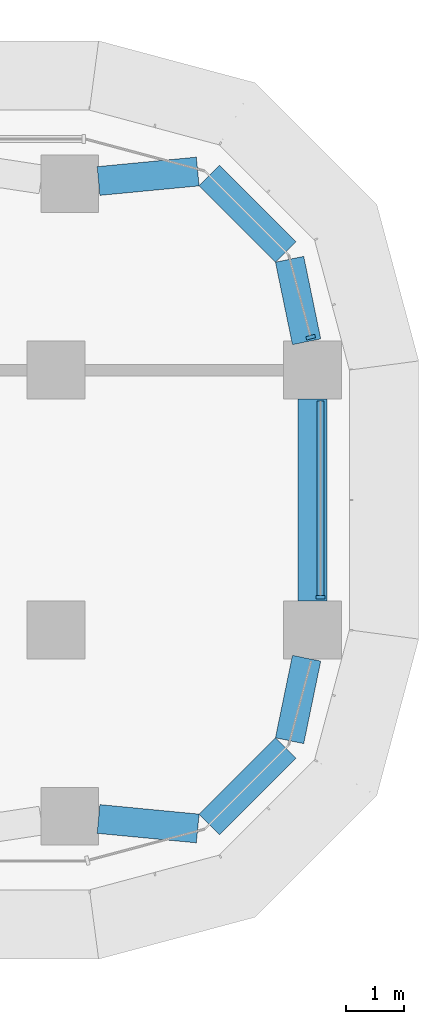
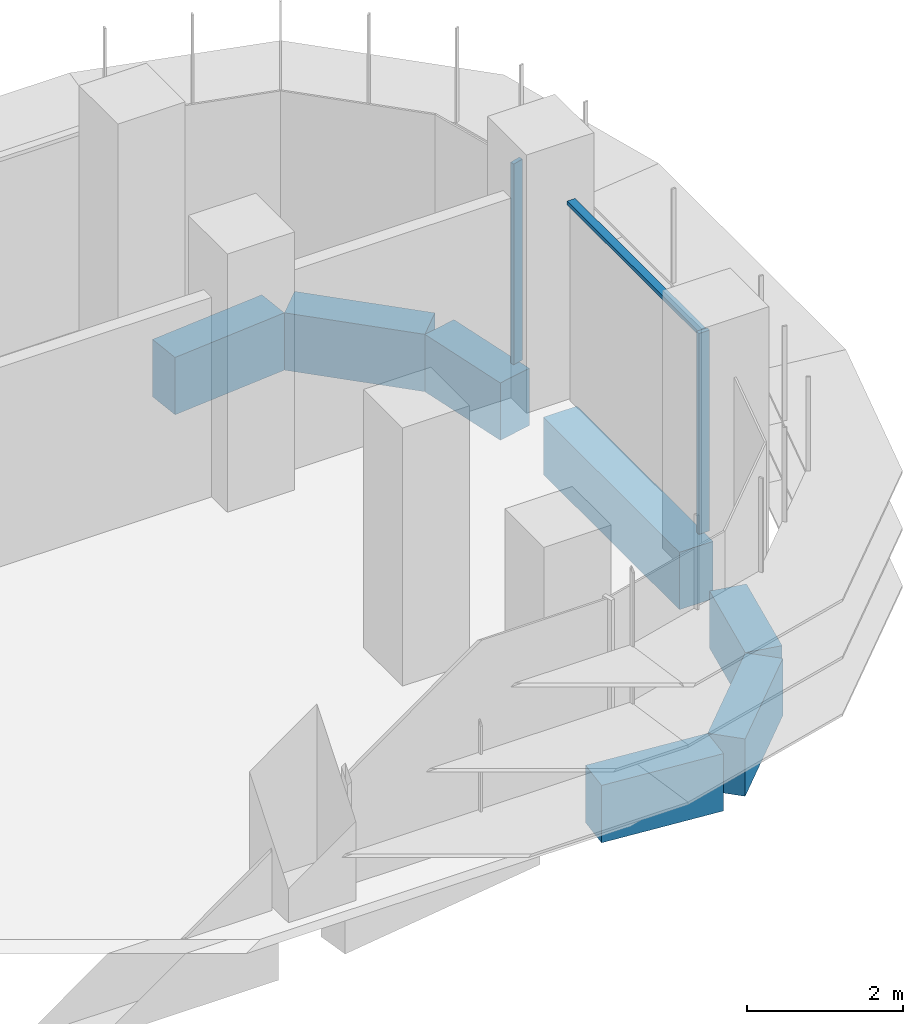
# One storey, part 11 of 23: 7 beams, 3 members, 2 elements without a shape of their own.
"""IFC4 building model written with IfcOpenShell, lengths in metres."""

from ifc_helpers import new_model, si_unit, direction, frame, origin, origin_2d, place, context, subcontext, project, spatial, polyline, rectangle, outline, extrude, source, transform, mapped, material, material_profile, profile_set, type_object, element, aggregate, save


model = new_model("IFC4")

# Units and contexts
model_context = context("Model", 3, precision=1e-05, world=origin(), true_north=direction((0.0, 1.0)))
body_context = subcontext(model_context, "Body", "Model", "MODEL_VIEW")
ifc_project = project(units=[si_unit("LENGTHUNIT", "METRE"), si_unit("AREAUNIT", "SQUARE_METRE"), si_unit("VOLUMEUNIT", "CUBIC_METRE"), si_unit("PLANEANGLEUNIT", "RADIAN"), si_unit("MASSUNIT", "GRAM", prefix="KILO")], contexts=[model_context])

# Site, building, storey
site_placement = place(None, origin())
site = spatial("IfcSite", under=ifc_project, at=site_placement, CompositionType="ELEMENT")
building_placement = place(site_placement, origin())
building = spatial("IfcBuilding", under=site, at=building_placement, Name="Zarbagh Exchange Tower", CompositionType="ELEMENT")
storey_placement = place(building_placement, frame((0.0, 0.0, 43.800048828125)))
storey = spatial("IfcBuildingStorey", under=building, at=storey_placement, Name="L09", CompositionType="ELEMENT", Elevation=43.800048828125)

# Beams
ifc_material_1 = material(Name="Concrete C60/75", Category="concrete")
ifc_material_profile = material_profile(ifc_material_1, rectangle(XDim=0.5, YDim=0.89990234375, at=origin_2d()), Name="RC spandrel beam 500 x 900 C60/75")
ifc_profile_set = profile_set([ifc_material_profile], Name="Concrete C60/75")
beam_type = type_object("IfcBeamType", Name="RC spandrel beam 500 x 900 C60/75", PredefinedType="SPANDREL", material=ifc_profile_set)
beam_1_placement = place(storey_placement, frame((29.40576171875, 5.522705078125, -0.60009765625), z_axis=(0.995431032456, 0.095483294999, 0.0), x_axis=(-0.095483294999, 0.995431032456, 0.0)))
element("IfcBeam", 1, at=beam_1_placement, inside=storey, type_object=beam_type, Name="RC spandrel beam", PredefinedType="SPANDREL", context=body_context, shape_type="SweptSolid", body=[
    extrude(rectangle(XDim=0.5, YDim=0.89990234375, at=origin_2d()), origin(), (0.0, 0.0, 1.0), 1.725830078125),
])
beam_2_placement = place(storey_placement, frame((31.324462890625, 5.615478515625, -0.60009765625), z_axis=(0.707172099812, -0.707041456527, 0.0), x_axis=(0.707041456527, 0.707172099812, 0.0)))
element("IfcBeam", 2, at=beam_2_placement, inside=storey, type_object=beam_type, Name="RC spandrel beam", PredefinedType="SPANDREL", context=body_context, shape_type="SweptSolid", body=[
    extrude(rectangle(XDim=0.5, YDim=0.89990234375, at=origin_2d()), origin(), (0.0, 0.0, 1.0), 1.86865234375),
])
beam_3_placement = place(storey_placement, frame((32.714111328125, 4.16796875, -0.60009765625), z_axis=(0.202068589164, -0.9793713725, 0.0), x_axis=(0.9793713725, 0.202068589164, 0.0)))
element("IfcBeam", 3, at=beam_3_placement, inside=storey, type_object=beam_type, Name="RC spandrel beam", PredefinedType="SPANDREL", context=body_context, shape_type="SweptSolid", body=[
    extrude(rectangle(XDim=0.5, YDim=0.89990234375, at=origin_2d()), origin(), (0.0, 0.0, 1.0), 1.458251953125),
])
beam_4_placement = place(storey_placement, frame((33.110107421875, 1.75, -0.60009765625), z_axis=(0.0, -1.0, 0.0), x_axis=(1.0, 0.0, 0.0)))
element("IfcBeam", 4, at=beam_4_placement, inside=storey, type_object=beam_type, Name="RC spandrel beam", PredefinedType="SPANDREL", context=body_context, shape_type="SweptSolid", body=[
    extrude(rectangle(XDim=0.5, YDim=0.89990234375, at=origin_2d()), origin(), (0.0, 0.0, 1.0), 3.5),
])
beam_5_placement = place(storey_placement, frame((33.0087890625, -2.73974609375, -0.60009765625), z_axis=(-0.202068589164, -0.9793713725, 0.0), x_axis=(0.9793713725, -0.202068589164, 0.0)))
element("IfcBeam", 5, at=beam_5_placement, inside=storey, type_object=beam_type, Name="RC spandrel beam", PredefinedType="SPANDREL", context=body_context, shape_type="SweptSolid", body=[
    extrude(rectangle(XDim=0.5, YDim=0.89990234375, at=origin_2d()), origin(), (0.0, 0.0, 1.0), 1.458251953125),
])
beam_6_placement = place(storey_placement, frame((32.64599609375, -4.294189453125, -0.60009765625), z_axis=(-0.707172099812, -0.707041456527, 0.0), x_axis=(0.707041456527, -0.707172099812, 0.0)))
element("IfcBeam", 6, at=beam_6_placement, inside=storey, type_object=beam_type, Name="RC spandrel beam", PredefinedType="SPANDREL", context=body_context, shape_type="SweptSolid", body=[
    extrude(rectangle(XDim=0.5, YDim=0.89990234375, at=origin_2d()), origin(), (0.0, 0.0, 1.0), 1.86865234375),
])
beam_7_placement = place(storey_placement, frame((31.123779296875, -5.6875, -0.60009765625), z_axis=(-0.995431032456, 0.095483294999, 0.0), x_axis=(-0.095483294999, -0.995431032456, 0.0)))
element("IfcBeam", 7, at=beam_7_placement, inside=storey, type_object=beam_type, Name="RC spandrel beam", PredefinedType="SPANDREL", context=body_context, shape_type="SweptSolid", body=[
    extrude(rectangle(XDim=0.5, YDim=0.89990234375, at=origin_2d()), origin(), (0.0, 0.0, 1.0), 1.725830078125),
])

# Curtain wall, member
ifc_material_2 = material(Name="Anodised aluminium frame and glazing", Category="aluminium")
curtain_wall_type = type_object("IfcCurtainWallType", Name="CWA Ribbon glazing, lower zones", PredefinedType="NOTDEFINED", material=ifc_material_2)
curtain_wall_1_placement = place(storey_placement, origin())
curtain_wall_1 = element("IfcCurtainWall", 8, at=curtain_wall_1_placement, inside=storey, type_object=curtain_wall_type, Name="CWA12 curtain wall", PredefinedType="NOTDEFINED")
ifc_material_3 = material(Name="Anodised aluminium frame", Category="aluminium")
member_type_1 = type_object("IfcMemberType", Name="MUA Mullion, anodised aluminium frame", PredefinedType="MULLION", material=ifc_material_3)
shared_shape_1 = source(origin(), body_context, "Body", "SweptSolid", [
    extrude(outline(polyline([(0.0, -0.080078125), (0.06005859375, -0.080078125), (0.06005859375, 0.080078125), (0.0, 0.080078125), (0.0, -0.080078125)])), origin(), (0.0, 0.0, 1.0), 3.14990234375),
])
placement = place(storey_placement, origin())
member_1 = element("IfcMember", 9, at=placement, type_object=member_type_1, Name="CWA12 mullion 1.1", PredefinedType="MULLION", context=body_context, shape_type="MappedRepresentation", body=[
    mapped(shared_shape_1, transform((33.25, -1.7099609375, 0.0), x_axis=(0.0, 1.0, 0.0), y_axis=(-1.0, 0.0, 0.0), z_axis=(0.0, 0.0, 1.0))),
])

curtain_wall_2_placement = place(storey_placement, origin())
curtain_wall_2 = element("IfcCurtainWall", 10, at=curtain_wall_2_placement, inside=storey, type_object=curtain_wall_type, Name="CWA13 curtain wall", PredefinedType="NOTDEFINED")
member_2 = element("IfcMember", 11, at=placement, type_object=member_type_1, Name="CWA13 mullion 1.1", PredefinedType="MULLION", context=body_context, shape_type="MappedRepresentation", body=[
    mapped(shared_shape_1, transform((33.087646484375, 2.7900390625, 0.0), x_axis=(-0.258824779902, 0.965924289636, 0.0), y_axis=(-0.965924289636, -0.258824779902, 0.0), z_axis=(0.0, 0.0, 1.0))),
])
aggregate(curtain_wall_2, [member_2])

# Member
member_type_2 = type_object("IfcMemberType", Name="TRA Transom, anodised aluminium frame", PredefinedType="USERDEFINED", material=ifc_material_3)
shared_shape_2 = source(origin(), body_context, "Body", "SweptSolid", [
    extrude(outline(polyline([(-0.06005859375, -0.06005859375), (0.0, -0.06005859375), (0.0, 0.06005859375), (-0.06005859375, 0.06005859375), (-0.06005859375, -0.06005859375)])), origin(), (0.0, 0.0, 1.0), 3.360107421875),
])
member_3 = element("IfcMember", 12, at=placement, type_object=member_type_2, Name="CWA12 transom 1.1", ObjectType="TRANSOM", PredefinedType="USERDEFINED", context=body_context, shape_type="MappedRepresentation", body=[
    mapped(shared_shape_2, transform((33.25, -1.64990234375, 3.14990234375), x_axis=(0.0, 0.0, 1.0), y_axis=(1.0, 0.0, 0.0), z_axis=(0.0, 1.0, 0.0))),
])

aggregate(curtain_wall_1, [member_1, member_3])

save(model, "model.ifc")
